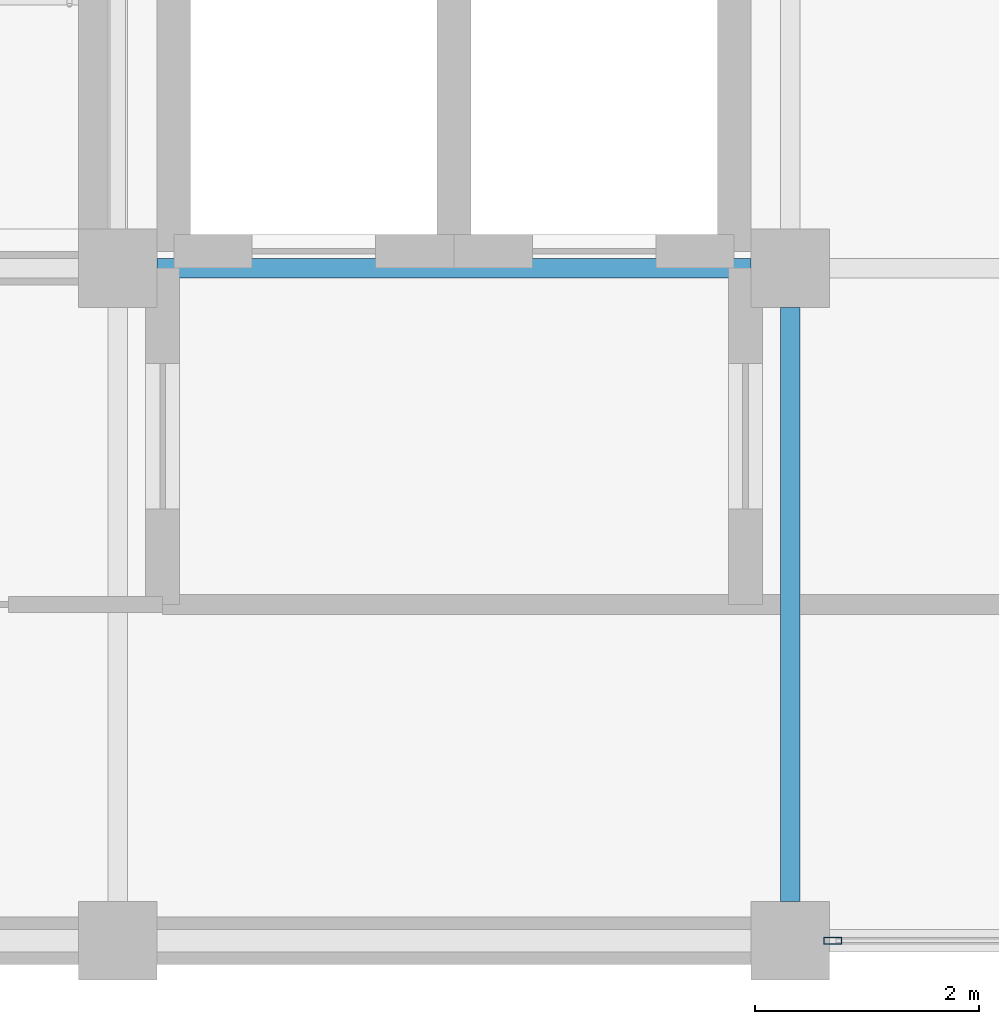
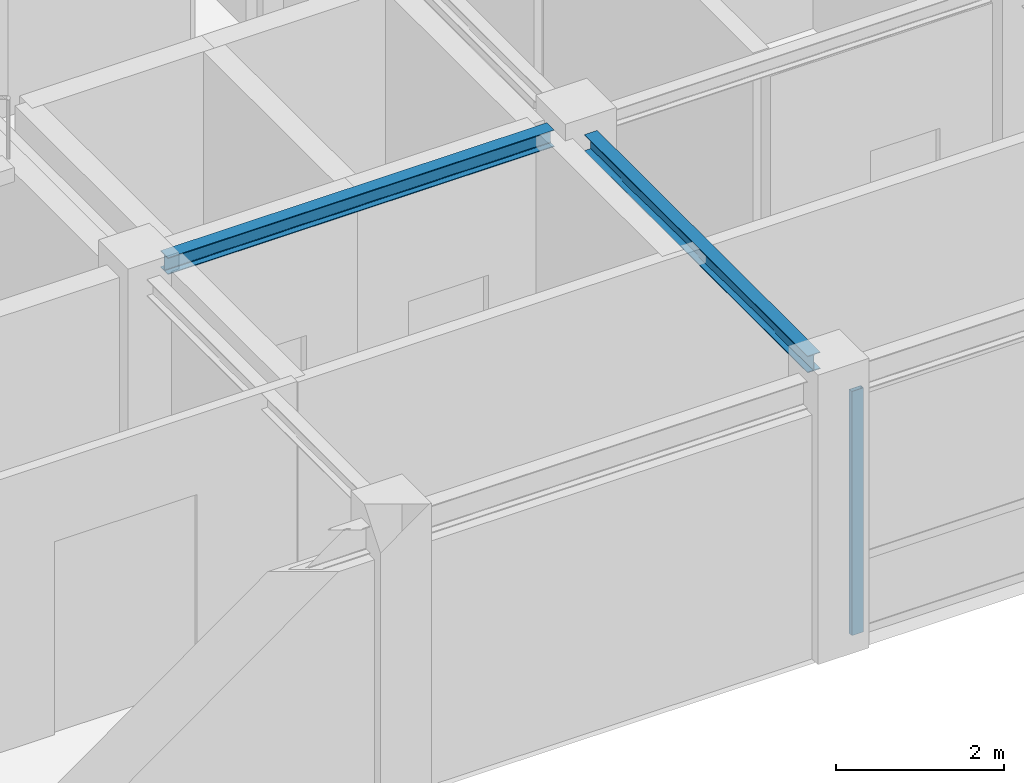
# One storey, part 4 of 14: 2 beams, 1 member, 1 element without a shape of its own.
"""IFC4 building model written with IfcOpenShell, lengths in metres."""

from ifc_helpers import new_model, si_unit, direction, frame, origin, origin_2d, place, context, subcontext, project, spatial, hollow_rectangle, i_section, extrude, material, layer, layer_set, material_profile, profile_set, type_object, element, aggregate, save


model = new_model("IFC4")

# Units and contexts
model_context = context("Model", 3, precision=1e-05, world=origin(), true_north=direction((0.0, 1.0)))
body_context = subcontext(model_context, "Body", "Model", "MODEL_VIEW")
ifc_project = project(units=[si_unit("LENGTHUNIT", "METRE"), si_unit("AREAUNIT", "SQUARE_METRE"), si_unit("VOLUMEUNIT", "CUBIC_METRE"), si_unit("PLANEANGLEUNIT", "RADIAN"), si_unit("MASSUNIT", "GRAM", prefix="KILO")], contexts=[model_context])

# Site, building, storey
site_placement = place(None, origin())
site = spatial("IfcSite", under=ifc_project, at=site_placement, CompositionType="ELEMENT")
building_placement = place(site_placement, origin())
building = spatial("IfcBuilding", under=site, at=building_placement, Name="Zlatovratsky Civic Hall", CompositionType="ELEMENT")
storey_placement = place(building_placement, frame((0.0, 0.0, 67.800048828125)))
storey = spatial("IfcBuildingStorey", under=building, at=storey_placement, Name="L17", CompositionType="ELEMENT", Elevation=67.800048828125)

# Beams
ifc_material_1 = material(Name="Steel S355", Category="steel")
ifc_material_profile_1 = material_profile(ifc_material_1, i_section(OverallWidth=0.175048828125, OverallDepth=0.243896484375, WebThickness=0.007080078125, FlangeThickness=0.010986328125, FilletRadius=0.01611328125, at=origin_2d()), Name="25Sh1")
ifc_profile_set_1 = profile_set([ifc_material_profile_1], Name="Steel S355")
beam_type = type_object("IfcBeamType", Name="Beam_Crown_25Sh1", PredefinedType="BEAM", material=ifc_profile_set_1)
for number, where, z_axis, x_axis, name in (
    (1, (72.35009765625, 84.0, 3.837890625), (1.0, 0.0, 0.0), (0.0, 1.0, 0.0), "BM-5200"),
    (2, (78.0, 78.35009765625, 3.837890625), (0.0, 1.0, 0.0), (-1.0, 0.0, 0.0), "BM-5229"),
):
    element("IfcBeam", number, at=place(storey_placement, frame(where, z_axis=z_axis, x_axis=x_axis)), inside=storey, type_object=beam_type, Name=name, PredefinedType="BEAM", context=body_context, shape_type="SweptSolid", body=[
        extrude(i_section(OverallWidth=0.175048828125, OverallDepth=0.243896484375, WebThickness=0.007080078125, FlangeThickness=0.010986328125, FilletRadius=0.01611328125, at=origin_2d()), origin(), (0.0, 0.0, 1.0), 5.2998046875),
    ])

# Curtain wall, member
ifc_material_2 = material(Name="Anodised bronze aluminium", Category="aluminium")
ifc_layer = layer(ifc_material_2, 0.159912109375)
ifc_layer_set = layer_set([ifc_layer], Name="Anodised bronze aluminium")
curtain_wall_type = type_object("IfcCurtainWallType", Name="CurtainWall_Bronze_5300x3540_25", PredefinedType="NOTDEFINED", material=ifc_layer_set)
curtain_wall_placement = place(storey_placement, origin())
curtain_wall = element("IfcCurtainWall", 3, at=curtain_wall_placement, inside=storey, type_object=curtain_wall_type, Name="CW-177", PredefinedType="NOTDEFINED")
ifc_material_profile_2 = material_profile(ifc_material_2, hollow_rectangle(XDim=0.06005859375, YDim=0.159912109375, WallThickness=0.00390625, at=origin_2d()), Name="ALU 60x160x4")
ifc_profile_set_2 = profile_set([ifc_material_profile_2], Name="Anodised bronze aluminium")
member_type = type_object("IfcMemberType", Name="CW_Mullion_60x160", PredefinedType="MULLION", material=ifc_profile_set_2)
member_placement = place(storey_placement, frame((78.3798828125, 78.0, 0.0), z_axis=(0.0, 0.0, 1.0), x_axis=(0.0, 1.0, 0.0)))
member = element("IfcMember", 4, at=member_placement, type_object=member_type, Name="CW-25 mullion 1", PredefinedType="MULLION", context=body_context, shape_type="SweptSolid", body=[
    extrude(hollow_rectangle(XDim=0.06005859375, YDim=0.159912109375, WallThickness=0.00390625, at=origin_2d()), origin(), (0.0, 0.0, 1.0), 3.5400390625),
])
aggregate(curtain_wall, [member])

save(model, "model.ifc")
